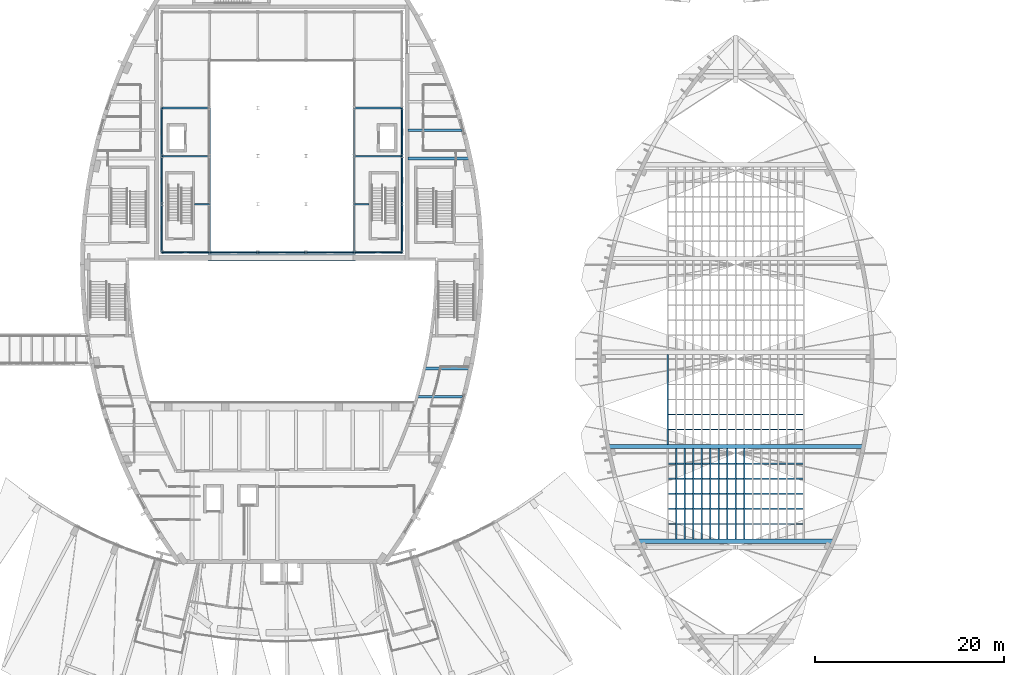
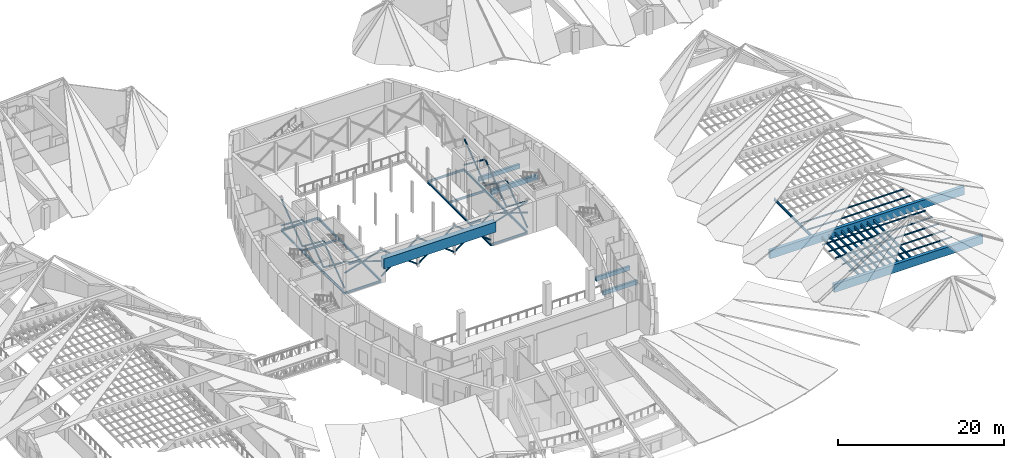
# One storey, part 18 of 56: 44 beams, 33 members.
"""IFC4 building model written with IfcOpenShell, lengths in metres."""

from ifc_helpers import new_model, si_unit, direction, frame, origin, origin_2d, place, context, subcontext, project, spatial, rectangle, hollow_circle, i_section, extrude, material, material_profile, profile_set, type_object, element, save


model = new_model("IFC4")

# Units and contexts
model_context = context("Model", 3, precision=1e-05, world=origin(), true_north=direction((0.0, 1.0)))
body_context = subcontext(model_context, "Body", "Model", "MODEL_VIEW")
ifc_project = project(units=[si_unit("LENGTHUNIT", "METRE"), si_unit("AREAUNIT", "SQUARE_METRE"), si_unit("VOLUMEUNIT", "CUBIC_METRE"), si_unit("PLANEANGLEUNIT", "RADIAN"), si_unit("MASSUNIT", "GRAM", prefix="KILO")], contexts=[model_context])

# Site, building, storey
site_placement = place(None, origin())
site = spatial("IfcSite", under=ifc_project, at=site_placement, CompositionType="ELEMENT")
building_placement = place(site_placement, origin())
building = spatial("IfcBuilding", under=site, at=building_placement, Name="Tide Square Theatres", CompositionType="ELEMENT")
storey_placement = place(building_placement, frame((0.0, 0.0, 10.199951171875)))
storey = spatial("IfcBuildingStorey", under=building, at=storey_placement, Name="L02", CompositionType="ELEMENT", Elevation=10.199951171875)

# Beams
ifc_material_1 = material(Name="Concrete C35", Category="concrete")
ifc_material_profile_1 = material_profile(ifc_material_1, rectangle(XDim=0.300048828125, YDim=0.60009765625, at=origin_2d()))
ifc_profile_set_1 = profile_set([ifc_material_profile_1], Name="Concrete C35")
beam_type_1 = type_object("IfcBeamType", Name="RC beam 300 x 600", PredefinedType="BEAM", material=ifc_profile_set_1)
beam_1_placement = place(storey_placement, frame((98.336669921875, 41.0, -0.550048828125), z_axis=(1.0, 0.0, 0.0), x_axis=(0.0, 1.0, 0.0)))
element("IfcBeam", 1, at=beam_1_placement, inside=storey, type_object=beam_type_1, Name="Floor beam", PredefinedType="BEAM", context=body_context, shape_type="SweptSolid", body=[
    extrude(rectangle(XDim=0.300048828125, YDim=0.60009765625, at=origin_2d()), origin(), (0.0, 0.0, 1.0), 4.769775390625),
])
beam_2_placement = place(storey_placement, frame((99.12060546875, 44.0, -0.550048828125), z_axis=(1.0, 0.0, 0.0), x_axis=(0.0, 1.0, 0.0)))
element("IfcBeam", 2, at=beam_2_placement, inside=storey, type_object=beam_type_1, Name="Floor beam", PredefinedType="BEAM", context=body_context, shape_type="SweptSolid", body=[
    extrude(rectangle(XDim=0.300048828125, YDim=0.60009765625, at=origin_2d()), origin(), (0.0, 0.0, 1.0), 4.710693359375),
])
beam_3_placement = place(storey_placement, frame((97.35009765625, 69.199951171875, -0.550048828125), z_axis=(1.0, 0.0, 0.0), x_axis=(0.0, 1.0, 0.0)))
element("IfcBeam", 3, at=beam_3_placement, inside=storey, type_object=beam_type_1, Name="Floor beam", PredefinedType="BEAM", context=body_context, shape_type="SweptSolid", body=[
    extrude(rectangle(XDim=0.300048828125, YDim=0.60009765625, at=origin_2d()), origin(), (0.0, 0.0, 1.0), 5.7001953125),
])
ifc_material_2 = material(Name="Concrete C35", Category="concrete")
ifc_material_profile_2 = material_profile(ifc_material_2, rectangle(XDim=0.35009765625, YDim=0.699951171875, at=origin_2d()))
ifc_profile_set_2 = profile_set([ifc_material_profile_2], Name="Concrete C35")
beam_type_2 = type_object("IfcBeamType", Name="RC beam 350 x 700", PredefinedType="BEAM", material=ifc_profile_set_2)
beam_4_placement = place(storey_placement, frame((97.35009765625, 66.199951171875, -0.599853515625), z_axis=(1.0, 0.0, 0.0), x_axis=(0.0, 1.0, 0.0)))
element("IfcBeam", 4, at=beam_4_placement, inside=storey, type_object=beam_type_2, Name="Floor beam", PredefinedType="BEAM", context=body_context, shape_type="SweptSolid", body=[
    extrude(rectangle(XDim=0.35009765625, YDim=0.699951171875, at=origin_2d()), origin(), (0.0, 0.0, 1.0), 6.43603515625),
])
ifc_material_3 = material(Name="Concrete C35", Category="concrete")
ifc_material_profile_3 = material_profile(ifc_material_3, rectangle(XDim=0.699951171875, YDim=1.5, at=origin_2d()))
ifc_profile_set_3 = profile_set([ifc_material_profile_3], Name="Concrete C35")
beam_type_3 = type_object("IfcBeamType", Name="RC beam 700 x 1500", PredefinedType="BEAM", material=ifc_profile_set_3)
beam_5_placement = place(storey_placement, frame((76.199951171875, 55.699951171875, 2.75), z_axis=(1.0, 0.0, 0.0), x_axis=(0.0, 1.0, 0.0)))
element("IfcBeam", 5, at=beam_5_placement, inside=storey, type_object=beam_type_3, Name="Proscenium deep beam", PredefinedType="BEAM", context=body_context, shape_type="SweptSolid", body=[
    extrude(rectangle(XDim=0.699951171875, YDim=1.5, at=origin_2d()), origin(), (0.0, 0.0, 1.0), 15.60009765625),
])
ifc_material_4 = material(Name="Concrete C40", Category="concrete")
ifc_material_profile_4 = material_profile(ifc_material_4, rectangle(XDim=0.449951171875, YDim=1.199951171875, at=origin_2d()))
ifc_profile_set_4 = profile_set([ifc_material_profile_4], Name="Concrete C40")
beam_type_4 = type_object("IfcBeamType", Name="RC eaves tie beam 450 x 1200", PredefinedType="BEAM", material=ifc_profile_set_4)
beam_6_placement = place(storey_placement, frame((142.354248046875, 25.727783203125, 1.322509765625), z_axis=(-1.0, 0.0, 0.0), x_axis=(0.0, -1.0, 0.0)))
element("IfcBeam", 6, at=beam_6_placement, inside=storey, type_object=beam_type_4, Name="Eaves tie beam blackbox 1", PredefinedType="BEAM", context=body_context, shape_type="SweptSolid", body=[
    extrude(rectangle(XDim=0.449951171875, YDim=1.199951171875, at=origin_2d()), origin(), (0.0, 0.0, 1.0), 20.70849609375),
])
beam_7_placement = place(storey_placement, frame((145.506103515625, 35.72998046875, 1.318603515625), z_axis=(-1.0, 0.0, 0.0), x_axis=(0.0, -1.0, 0.0)))
element("IfcBeam", 7, at=beam_7_placement, inside=storey, type_object=beam_type_4, Name="Eaves tie beam blackbox 2", PredefinedType="BEAM", context=body_context, shape_type="SweptSolid", body=[
    extrude(rectangle(XDim=0.449951171875, YDim=1.199951171875, at=origin_2d()), origin(), (0.0, 0.0, 1.0), 27.01220703125),
])
ifc_material_5 = material(Name="Steel ASTM A572 Grade 50", Category="steel")
ifc_material_profile_5 = material_profile(ifc_material_5, i_section(OverallWidth=0.1650390625, OverallDepth=0.31005859375, WebThickness=0.005859375, FlangeThickness=0.009765625, FilletRadius=0.010009765625, at=origin_2d()))
ifc_profile_set_5 = profile_set([ifc_material_profile_5], Name="Steel ASTM A572 Grade 50")
beam_type_5 = type_object("IfcBeamType", Name="Steel beam W 310 x 38.7", PredefinedType="BEAM", material=ifc_profile_set_5)
for number, where, z_axis, x_axis, name in (
    (8, (71.27587890625, 56.27587890625, -0.35498046875), (0.0, 1.0, 0.0), (-1.0, 0.0, 0.0), "Fly gallery beam"),
    (9, (71.27587890625, 61.365478515625, -0.35498046875), (0.0, 1.0, 0.0), (-1.0, 0.0, 0.0), "Fly gallery beam"),
):
    element("IfcBeam", number, at=place(storey_placement, frame(where, z_axis=z_axis, x_axis=x_axis)), inside=storey, type_object=beam_type_5, Name=name, PredefinedType="BEAM", context=body_context, shape_type="SweptSolid", body=[
        extrude(i_section(OverallWidth=0.1650390625, OverallDepth=0.31005859375, WebThickness=0.005859375, FlangeThickness=0.009765625, FilletRadius=0.010009765625, at=origin_2d()), origin(), (0.0, 0.0, 1.0), 5.089599609375),
    ])
beam_8_placement = place(storey_placement, frame((71.27587890625, 66.455078125, -0.35498046875), z_axis=(0.0, 1.0, 0.0), x_axis=(-1.0, 0.0, 0.0)))
element("IfcBeam", 10, at=beam_8_placement, inside=storey, type_object=beam_type_5, Name="Fly gallery beam", PredefinedType="BEAM", context=body_context, shape_type="SweptSolid", body=[
    extrude(i_section(OverallWidth=0.1650390625, OverallDepth=0.31005859375, WebThickness=0.005859375, FlangeThickness=0.009765625, FilletRadius=0.010009765625, at=origin_2d()), origin(), (0.0, 0.0, 1.0), 5.08984375),
])
for number, where, z_axis, x_axis, name in (
    (11, (76.365478515625, 56.27587890625, -0.35498046875), (0.0, 1.0, 0.0), (-1.0, 0.0, 0.0), "Fly gallery beam"),
    (12, (76.365478515625, 61.365478515625, -0.35498046875), (0.0, 1.0, 0.0), (-1.0, 0.0, 0.0), "Fly gallery beam"),
):
    element("IfcBeam", number, at=place(storey_placement, frame(where, z_axis=z_axis, x_axis=x_axis)), inside=storey, type_object=beam_type_5, Name=name, PredefinedType="BEAM", context=body_context, shape_type="SweptSolid", body=[
        extrude(i_section(OverallWidth=0.1650390625, OverallDepth=0.31005859375, WebThickness=0.005859375, FlangeThickness=0.009765625, FilletRadius=0.010009765625, at=origin_2d()), origin(), (0.0, 0.0, 1.0), 5.089599609375),
    ])
beam_9_placement = place(storey_placement, frame((76.365478515625, 66.455078125, -0.35498046875), z_axis=(0.0, 1.0, 0.0), x_axis=(-1.0, 0.0, 0.0)))
element("IfcBeam", 13, at=beam_9_placement, inside=storey, type_object=beam_type_5, Name="Fly gallery beam", PredefinedType="BEAM", context=body_context, shape_type="SweptSolid", body=[
    extrude(i_section(OverallWidth=0.1650390625, OverallDepth=0.31005859375, WebThickness=0.005859375, FlangeThickness=0.009765625, FilletRadius=0.010009765625, at=origin_2d()), origin(), (0.0, 0.0, 1.0), 5.08984375),
])
beam_10_placement = place(storey_placement, frame((71.27587890625, 56.27587890625, -0.35498046875), z_axis=(1.0, 0.0, 0.0), x_axis=(0.0, 1.0, 0.0)))
element("IfcBeam", 14, at=beam_10_placement, inside=storey, type_object=beam_type_5, Name="Fly gallery cross beam", PredefinedType="BEAM", context=body_context, shape_type="SweptSolid", body=[
    extrude(i_section(OverallWidth=0.1650390625, OverallDepth=0.31005859375, WebThickness=0.005859375, FlangeThickness=0.009765625, FilletRadius=0.010009765625, at=origin_2d()), origin(), (0.0, 0.0, 1.0), 5.089599609375),
])
beam_11_placement = place(storey_placement, frame((74.77587890625, 61.365478515625, -0.35498046875), z_axis=(1.0, 0.0, 0.0), x_axis=(0.0, 1.0, 0.0)))
element("IfcBeam", 15, at=beam_11_placement, inside=storey, type_object=beam_type_5, Name="Fly gallery cross beam", PredefinedType="BEAM", context=body_context, shape_type="SweptSolid", body=[
    extrude(i_section(OverallWidth=0.1650390625, OverallDepth=0.31005859375, WebThickness=0.005859375, FlangeThickness=0.009765625, FilletRadius=0.010009765625, at=origin_2d()), origin(), (0.0, 0.0, 1.0), 1.589599609375),
])
for number, where, z_axis, x_axis, name in (
    (16, (71.27587890625, 66.455078125, -0.35498046875), (1.0, 0.0, 0.0), (0.0, 1.0, 0.0), "Fly gallery cross beam"),
    (17, (71.27587890625, 71.544921875, -0.35498046875), (1.0, 0.0, 0.0), (0.0, 1.0, 0.0), "Fly gallery cross beam"),
    (18, (91.634521484375, 56.27587890625, -0.35498046875), (0.0, 1.0, 0.0), (-1.0, 0.0, 0.0), "Fly gallery beam"),
    (19, (91.634521484375, 61.365478515625, -0.35498046875), (0.0, 1.0, 0.0), (-1.0, 0.0, 0.0), "Fly gallery beam"),
):
    element("IfcBeam", number, at=place(storey_placement, frame(where, z_axis=z_axis, x_axis=x_axis)), inside=storey, type_object=beam_type_5, Name=name, PredefinedType="BEAM", context=body_context, shape_type="SweptSolid", body=[
        extrude(i_section(OverallWidth=0.1650390625, OverallDepth=0.31005859375, WebThickness=0.005859375, FlangeThickness=0.009765625, FilletRadius=0.010009765625, at=origin_2d()), origin(), (0.0, 0.0, 1.0), 5.089599609375),
    ])
beam_12_placement = place(storey_placement, frame((91.634521484375, 66.455078125, -0.35498046875), z_axis=(0.0, 1.0, 0.0), x_axis=(-1.0, 0.0, 0.0)))
element("IfcBeam", 20, at=beam_12_placement, inside=storey, type_object=beam_type_5, Name="Fly gallery beam", PredefinedType="BEAM", context=body_context, shape_type="SweptSolid", body=[
    extrude(i_section(OverallWidth=0.1650390625, OverallDepth=0.31005859375, WebThickness=0.005859375, FlangeThickness=0.009765625, FilletRadius=0.010009765625, at=origin_2d()), origin(), (0.0, 0.0, 1.0), 5.08984375),
])
for number, where, z_axis, x_axis, name in (
    (21, (96.72412109375, 56.27587890625, -0.35498046875), (0.0, 1.0, 0.0), (-1.0, 0.0, 0.0), "Fly gallery beam"),
    (22, (96.72412109375, 61.365478515625, -0.35498046875), (0.0, 1.0, 0.0), (-1.0, 0.0, 0.0), "Fly gallery beam"),
):
    element("IfcBeam", number, at=place(storey_placement, frame(where, z_axis=z_axis, x_axis=x_axis)), inside=storey, type_object=beam_type_5, Name=name, PredefinedType="BEAM", context=body_context, shape_type="SweptSolid", body=[
        extrude(i_section(OverallWidth=0.1650390625, OverallDepth=0.31005859375, WebThickness=0.005859375, FlangeThickness=0.009765625, FilletRadius=0.010009765625, at=origin_2d()), origin(), (0.0, 0.0, 1.0), 5.089599609375),
    ])
beam_13_placement = place(storey_placement, frame((96.72412109375, 66.455078125, -0.35498046875), z_axis=(0.0, 1.0, 0.0), x_axis=(-1.0, 0.0, 0.0)))
element("IfcBeam", 23, at=beam_13_placement, inside=storey, type_object=beam_type_5, Name="Fly gallery beam", PredefinedType="BEAM", context=body_context, shape_type="SweptSolid", body=[
    extrude(i_section(OverallWidth=0.1650390625, OverallDepth=0.31005859375, WebThickness=0.005859375, FlangeThickness=0.009765625, FilletRadius=0.010009765625, at=origin_2d()), origin(), (0.0, 0.0, 1.0), 5.08984375),
])
beam_14_placement = place(storey_placement, frame((91.634521484375, 56.27587890625, -0.35498046875), z_axis=(1.0, 0.0, 0.0), x_axis=(0.0, 1.0, 0.0)))
element("IfcBeam", 24, at=beam_14_placement, inside=storey, type_object=beam_type_5, Name="Fly gallery cross beam", PredefinedType="BEAM", context=body_context, shape_type="SweptSolid", body=[
    extrude(i_section(OverallWidth=0.1650390625, OverallDepth=0.31005859375, WebThickness=0.005859375, FlangeThickness=0.009765625, FilletRadius=0.010009765625, at=origin_2d()), origin(), (0.0, 0.0, 1.0), 5.089599609375),
])
beam_15_placement = place(storey_placement, frame((91.634521484375, 61.365478515625, -0.35498046875), z_axis=(1.0, 0.0, 0.0), x_axis=(0.0, 1.0, 0.0)))
element("IfcBeam", 25, at=beam_15_placement, inside=storey, type_object=beam_type_5, Name="Fly gallery cross beam", PredefinedType="BEAM", context=body_context, shape_type="SweptSolid", body=[
    extrude(i_section(OverallWidth=0.1650390625, OverallDepth=0.31005859375, WebThickness=0.005859375, FlangeThickness=0.009765625, FilletRadius=0.010009765625, at=origin_2d()), origin(), (0.0, 0.0, 1.0), 1.589599609375),
])
for number, where, z_axis, x_axis, name in (
    (26, (91.634521484375, 66.455078125, -0.35498046875), (1.0, 0.0, 0.0), (0.0, 1.0, 0.0), "Fly gallery cross beam"),
    (27, (91.634521484375, 71.544921875, -0.35498046875), (1.0, 0.0, 0.0), (0.0, 1.0, 0.0), "Fly gallery cross beam"),
):
    element("IfcBeam", number, at=place(storey_placement, frame(where, z_axis=z_axis, x_axis=x_axis)), inside=storey, type_object=beam_type_5, Name=name, PredefinedType="BEAM", context=body_context, shape_type="SweptSolid", body=[
        extrude(i_section(OverallWidth=0.1650390625, OverallDepth=0.31005859375, WebThickness=0.005859375, FlangeThickness=0.009765625, FilletRadius=0.010009765625, at=origin_2d()), origin(), (0.0, 0.0, 1.0), 5.089599609375),
    ])
ifc_material_6 = material(Name="Steel ASTM A572 Grade 50", Category="steel")
ifc_material_profile_6 = material_profile(ifc_material_6, i_section(OverallWidth=0.1708984375, OverallDepth=0.35498046875, WebThickness=0.007080078125, FlangeThickness=0.01171875, FilletRadius=0.011962890625, at=origin_2d()))
ifc_profile_set_6 = profile_set([ifc_material_profile_6], Name="Steel ASTM A572 Grade 50")
beam_type_6 = type_object("IfcBeamType", Name="Steel beam W 360 x 51.0", PredefinedType="BEAM", material=ifc_profile_set_6)
for number, where, z_axis, x_axis, name in (
    (28, (132.89990234375, 25.952880859375, 1.320556640625), (0.0, 1.0, 0.0), (-1.0, 0.0, 0.0), "Black Box Theatre rigging grid girder"),
    (29, (132.0, 25.952880859375, 1.320556640625), (0.0, 1.0, 0.0), (-1.0, 0.0, 0.0), "Black Box Theatre rigging grid girder"),
    (30, (131.10009765625, 25.952880859375, 1.320556640625), (0.0, 1.0, 0.0), (-1.0, 0.0, 0.0), "Black Box Theatre rigging grid girder"),
    (31, (130.199951171875, 25.952880859375, 1.320556640625), (0.0, 1.0, 0.0), (-1.0, 0.0, 0.0), "Black Box Theatre rigging grid girder"),
    (32, (129.300048828125, 25.952880859375, 1.320556640625), (0.0, 1.0, 0.0), (-1.0, 0.0, 0.0), "Black Box Theatre rigging grid girder"),
    (33, (128.39990234375, 25.952880859375, 1.320556640625), (0.0, 1.0, 0.0), (-1.0, 0.0, 0.0), "Black Box Theatre rigging grid girder"),
    (34, (127.5, 25.952880859375, 1.320556640625), (0.0, 1.0, 0.0), (-1.0, 0.0, 0.0), "Black Box Theatre rigging grid girder"),
    (35, (126.60009765625, 25.952880859375, 1.320556640625), (0.0, 1.0, 0.0), (-1.0, 0.0, 0.0), "Black Box Theatre rigging grid girder"),
    (36, (125.699951171875, 25.952880859375, 1.320556640625), (0.0, 1.0, 0.0), (-1.0, 0.0, 0.0), "Black Box Theatre rigging grid girder"),
):
    element("IfcBeam", number, at=place(storey_placement, frame(where, z_axis=z_axis, x_axis=x_axis)), inside=storey, type_object=beam_type_6, Name=name, PredefinedType="BEAM", context=body_context, shape_type="SweptSolid", body=[
        extrude(i_section(OverallWidth=0.1708984375, OverallDepth=0.35498046875, WebThickness=0.007080078125, FlangeThickness=0.01171875, FilletRadius=0.011962890625, at=origin_2d()), origin(), (0.0, 0.0, 1.0), 9.552001953125),
    ])
beam_16_placement = place(storey_placement, frame((124.800048828125, 35.955078125, 1.316650390625), z_axis=(0.0, 1.0, 0.0), x_axis=(-1.0, 0.0, 0.0)))
element("IfcBeam", 37, at=beam_16_placement, inside=storey, type_object=beam_type_6, Name="Black Box Theatre rigging grid girder", PredefinedType="BEAM", context=body_context, shape_type="SweptSolid", body=[
    extrude(i_section(OverallWidth=0.1708984375, OverallDepth=0.35498046875, WebThickness=0.007080078125, FlangeThickness=0.01171875, FilletRadius=0.011962890625, at=origin_2d()), origin(), (0.0, 0.0, 1.0), 9.519775390625),
])

# Members
ifc_material_7 = material(Name="Steel ASTM A500 Grade C", Category="steel")
ifc_material_profile_7 = material_profile(ifc_material_7, hollow_circle(Radius=0.109619140625, WallThickness=0.010009765625, at=origin_2d()))
ifc_profile_set_7 = profile_set([ifc_material_profile_7], Name="Steel ASTM A500 Grade C")
member_type = type_object("IfcMemberType", Name="Steel brace CHS 219.1 x 10.0", PredefinedType="BRACE", material=ifc_profile_set_7)
member_1_placement = place(storey_placement, frame((71.27587890625, 56.27587890625, 2.60009765625), z_axis=(0.951265515207, 0.0, 0.308373020184), x_axis=(0.0, 1.0, 0.0)))
element("IfcMember", 38, at=member_1_placement, inside=storey, type_object=member_type, Name="Fly tower brace", PredefinedType="BRACE", context=body_context, shape_type="SweptSolid", body=[
    extrude(hollow_circle(Radius=0.109619140625, WallThickness=0.010009765625, at=origin_2d()), origin(), (0.0, 0.0, 1.0), 5.350341796875),
])
member_2_placement = place(storey_placement, frame((76.365478515625, 56.27587890625, 2.60009765625), z_axis=(-0.95126361453, 0.0, 0.30837888331), x_axis=(0.0, -1.0, 0.0)))
element("IfcMember", 39, at=member_2_placement, inside=storey, type_object=member_type, Name="Fly tower brace", PredefinedType="BRACE", context=body_context, shape_type="SweptSolid", body=[
    extrude(hollow_circle(Radius=0.109619140625, WallThickness=0.010009765625, at=origin_2d()), origin(), (0.0, 0.0, 1.0), 2.420166015625),
])
member_3_placement = place(storey_placement, frame((73.578369140625, 56.27587890625, 3.503662109375), z_axis=(-0.951273206238, 0.0, 0.308349293974), x_axis=(0.0, -1.0, 0.0)))
element("IfcMember", 40, at=member_3_placement, inside=storey, type_object=member_type, Name="Fly tower brace", PredefinedType="BRACE", context=body_context, shape_type="SweptSolid", body=[
    extrude(hollow_circle(Radius=0.109619140625, WallThickness=0.010009765625, at=origin_2d()), origin(), (0.0, 0.0, 1.0), 2.42041015625),
])
member_4_placement = place(storey_placement, frame((76.365478515625, 56.27587890625, 0.35009765625), z_axis=(0.793766284219, 0.0, 0.60822289174), x_axis=(0.0, 1.0, 0.0)))
element("IfcMember", 41, at=member_4_placement, inside=storey, type_object=member_type, Name="Fly tower brace", PredefinedType="BRACE", context=body_context, shape_type="SweptSolid", body=[
    extrude(hollow_circle(Radius=0.109619140625, WallThickness=0.010009765625, at=origin_2d()), origin(), (0.0, 0.0, 1.0), 6.411865234375),
])
member_5_placement = place(storey_placement, frame((81.455078125, 56.27587890625, 0.35009765625), z_axis=(-0.793780221985, 0.0, 0.608204701713), x_axis=(0.0, -1.0, 0.0)))
element("IfcMember", 42, at=member_5_placement, inside=storey, type_object=member_type, Name="Fly tower brace", PredefinedType="BRACE", context=body_context, shape_type="SweptSolid", body=[
    extrude(hollow_circle(Radius=0.109619140625, WallThickness=0.010009765625, at=origin_2d()), origin(), (0.0, 0.0, 1.0), 3.0732421875),
])
member_6_placement = place(storey_placement, frame((78.80517578125, 56.27587890625, 2.380859375), z_axis=(-0.793809605674, 0.0, 0.608166350549), x_axis=(0.0, -1.0, 0.0)))
element("IfcMember", 43, at=member_6_placement, inside=storey, type_object=member_type, Name="Fly tower brace", PredefinedType="BRACE", context=body_context, shape_type="SweptSolid", body=[
    extrude(hollow_circle(Radius=0.109619140625, WallThickness=0.010009765625, at=origin_2d()), origin(), (0.0, 0.0, 1.0), 3.073486328125),
])
member_7_placement = place(storey_placement, frame((81.455078125, 56.27587890625, 0.35009765625), z_axis=(0.793780369156, 0.0, 0.608204509637), x_axis=(0.0, 1.0, 0.0)))
element("IfcMember", 44, at=member_7_placement, inside=storey, type_object=member_type, Name="Fly tower brace", PredefinedType="BRACE", context=body_context, shape_type="SweptSolid", body=[
    extrude(hollow_circle(Radius=0.109619140625, WallThickness=0.010009765625, at=origin_2d()), origin(), (0.0, 0.0, 1.0), 6.412109375),
])
for number, where, z_axis, x_axis, name in (
    (45, (86.544921875, 56.27587890625, 0.35009765625), (-0.793809605674, 0.0, 0.608166350549), (0.0, -1.0, 0.0), "Fly tower brace"),
    (46, (83.894775390625, 56.27587890625, 2.380859375), (-0.793809605674, 0.0, 0.608166350549), (0.0, -1.0, 0.0), "Fly tower brace"),
):
    element("IfcMember", number, at=place(storey_placement, frame(where, z_axis=z_axis, x_axis=x_axis)), inside=storey, type_object=member_type, Name=name, PredefinedType="BRACE", context=body_context, shape_type="SweptSolid", body=[
        extrude(hollow_circle(Radius=0.109619140625, WallThickness=0.010009765625, at=origin_2d()), origin(), (0.0, 0.0, 1.0), 3.073486328125),
    ])
member_8_placement = place(storey_placement, frame((86.544921875, 56.27587890625, 0.35009765625), z_axis=(0.793766284219, 0.0, 0.60822289174), x_axis=(0.0, 1.0, 0.0)))
element("IfcMember", 47, at=member_8_placement, inside=storey, type_object=member_type, Name="Fly tower brace", PredefinedType="BRACE", context=body_context, shape_type="SweptSolid", body=[
    extrude(hollow_circle(Radius=0.109619140625, WallThickness=0.010009765625, at=origin_2d()), origin(), (0.0, 0.0, 1.0), 6.411865234375),
])
member_9_placement = place(storey_placement, frame((91.634521484375, 56.27587890625, 0.35009765625), z_axis=(-0.793809605674, 0.0, 0.608166350549), x_axis=(0.0, -1.0, 0.0)))
element("IfcMember", 48, at=member_9_placement, inside=storey, type_object=member_type, Name="Fly tower brace", PredefinedType="BRACE", context=body_context, shape_type="SweptSolid", body=[
    extrude(hollow_circle(Radius=0.109619140625, WallThickness=0.010009765625, at=origin_2d()), origin(), (0.0, 0.0, 1.0), 3.073486328125),
])
member_10_placement = place(storey_placement, frame((88.984375, 56.27587890625, 2.380859375), z_axis=(-0.793780221985, 0.0, 0.608204701713), x_axis=(0.0, -1.0, 0.0)))
element("IfcMember", 49, at=member_10_placement, inside=storey, type_object=member_type, Name="Fly tower brace", PredefinedType="BRACE", context=body_context, shape_type="SweptSolid", body=[
    extrude(hollow_circle(Radius=0.109619140625, WallThickness=0.010009765625, at=origin_2d()), origin(), (0.0, 0.0, 1.0), 3.0732421875),
])
member_11_placement = place(storey_placement, frame((91.634521484375, 56.27587890625, 2.60009765625), z_axis=(0.951265515207, 0.0, 0.308373020184), x_axis=(0.0, 1.0, 0.0)))
element("IfcMember", 50, at=member_11_placement, inside=storey, type_object=member_type, Name="Fly tower brace", PredefinedType="BRACE", context=body_context, shape_type="SweptSolid", body=[
    extrude(hollow_circle(Radius=0.109619140625, WallThickness=0.010009765625, at=origin_2d()), origin(), (0.0, 0.0, 1.0), 5.350341796875),
])
member_12_placement = place(storey_placement, frame((96.72412109375, 56.27587890625, 2.60009765625), z_axis=(-0.951273206238, 0.0, 0.308349293974), x_axis=(0.0, -1.0, 0.0)))
element("IfcMember", 51, at=member_12_placement, inside=storey, type_object=member_type, Name="Fly tower brace", PredefinedType="BRACE", context=body_context, shape_type="SweptSolid", body=[
    extrude(hollow_circle(Radius=0.109619140625, WallThickness=0.010009765625, at=origin_2d()), origin(), (0.0, 0.0, 1.0), 2.42041015625),
])
member_13_placement = place(storey_placement, frame((93.936767578125, 56.27587890625, 3.503662109375), z_axis=(-0.95126361453, 0.0, 0.30837888331), x_axis=(0.0, -1.0, 0.0)))
element("IfcMember", 52, at=member_13_placement, inside=storey, type_object=member_type, Name="Fly tower brace", PredefinedType="BRACE", context=body_context, shape_type="SweptSolid", body=[
    extrude(hollow_circle(Radius=0.109619140625, WallThickness=0.010009765625, at=origin_2d()), origin(), (0.0, 0.0, 1.0), 2.420166015625),
])
member_14_placement = place(storey_placement, frame((71.27587890625, 56.27587890625, 0.35009765625), z_axis=(0.0, 0.793766284219, 0.60822289174), x_axis=(-1.0, 0.0, 0.0)))
element("IfcMember", 53, at=member_14_placement, inside=storey, type_object=member_type, Name="Fly tower brace", PredefinedType="BRACE", context=body_context, shape_type="SweptSolid", body=[
    extrude(hollow_circle(Radius=0.109619140625, WallThickness=0.010009765625, at=origin_2d()), origin(), (0.0, 0.0, 1.0), 6.411865234375),
])
member_15_placement = place(storey_placement, frame((71.27587890625, 61.365478515625, 0.35009765625), z_axis=(0.0, -0.793780221985, 0.608204701713), x_axis=(1.0, 0.0, 0.0)))
element("IfcMember", 54, at=member_15_placement, inside=storey, type_object=member_type, Name="Fly tower brace", PredefinedType="BRACE", context=body_context, shape_type="SweptSolid", body=[
    extrude(hollow_circle(Radius=0.109619140625, WallThickness=0.010009765625, at=origin_2d()), origin(), (0.0, 0.0, 1.0), 3.0732421875),
])
member_16_placement = place(storey_placement, frame((71.27587890625, 58.715576171875, 2.380859375), z_axis=(0.0, -0.793809605674, 0.608166350549), x_axis=(1.0, 0.0, 0.0)))
element("IfcMember", 55, at=member_16_placement, inside=storey, type_object=member_type, Name="Fly tower brace", PredefinedType="BRACE", context=body_context, shape_type="SweptSolid", body=[
    extrude(hollow_circle(Radius=0.109619140625, WallThickness=0.010009765625, at=origin_2d()), origin(), (0.0, 0.0, 1.0), 3.073486328125),
])
member_17_placement = place(storey_placement, frame((71.27587890625, 61.365478515625, 0.35009765625), z_axis=(0.0, 0.793766284219, 0.60822289174), x_axis=(-1.0, 0.0, 0.0)))
element("IfcMember", 56, at=member_17_placement, inside=storey, type_object=member_type, Name="Fly tower brace", PredefinedType="BRACE", context=body_context, shape_type="SweptSolid", body=[
    extrude(hollow_circle(Radius=0.109619140625, WallThickness=0.010009765625, at=origin_2d()), origin(), (0.0, 0.0, 1.0), 6.411865234375),
])
member_18_placement = place(storey_placement, frame((71.27587890625, 66.455078125, 0.35009765625), z_axis=(0.0, -0.793780221985, 0.608204701713), x_axis=(1.0, 0.0, 0.0)))
element("IfcMember", 57, at=member_18_placement, inside=storey, type_object=member_type, Name="Fly tower brace", PredefinedType="BRACE", context=body_context, shape_type="SweptSolid", body=[
    extrude(hollow_circle(Radius=0.109619140625, WallThickness=0.010009765625, at=origin_2d()), origin(), (0.0, 0.0, 1.0), 3.0732421875),
])
member_19_placement = place(storey_placement, frame((71.27587890625, 63.80517578125, 2.380859375), z_axis=(0.0, -0.793809605674, 0.608166350549), x_axis=(1.0, 0.0, 0.0)))
element("IfcMember", 58, at=member_19_placement, inside=storey, type_object=member_type, Name="Fly tower brace", PredefinedType="BRACE", context=body_context, shape_type="SweptSolid", body=[
    extrude(hollow_circle(Radius=0.109619140625, WallThickness=0.010009765625, at=origin_2d()), origin(), (0.0, 0.0, 1.0), 3.073486328125),
])
member_20_placement = place(storey_placement, frame((71.27587890625, 66.455078125, 0.35009765625), z_axis=(0.0, 0.793780369156, 0.608204509637), x_axis=(-1.0, 0.0, 0.0)))
element("IfcMember", 59, at=member_20_placement, inside=storey, type_object=member_type, Name="Fly tower brace", PredefinedType="BRACE", context=body_context, shape_type="SweptSolid", body=[
    extrude(hollow_circle(Radius=0.109619140625, WallThickness=0.010009765625, at=origin_2d()), origin(), (0.0, 0.0, 1.0), 6.412109375),
])
for number, where, z_axis, x_axis, name in (
    (60, (71.27587890625, 71.544921875, 0.35009765625), (0.0, -0.793809605674, 0.608166350549), (1.0, 0.0, 0.0), "Fly tower brace"),
    (61, (71.27587890625, 68.894775390625, 2.380859375), (0.0, -0.793809605674, 0.608166350549), (1.0, 0.0, 0.0), "Fly tower brace"),
):
    element("IfcMember", number, at=place(storey_placement, frame(where, z_axis=z_axis, x_axis=x_axis)), inside=storey, type_object=member_type, Name=name, PredefinedType="BRACE", context=body_context, shape_type="SweptSolid", body=[
        extrude(hollow_circle(Radius=0.109619140625, WallThickness=0.010009765625, at=origin_2d()), origin(), (0.0, 0.0, 1.0), 3.073486328125),
    ])
member_21_placement = place(storey_placement, frame((96.72412109375, 56.27587890625, 0.35009765625), z_axis=(0.0, 0.793766284219, 0.60822289174), x_axis=(-1.0, 0.0, 0.0)))
element("IfcMember", 62, at=member_21_placement, inside=storey, type_object=member_type, Name="Fly tower brace", PredefinedType="BRACE", context=body_context, shape_type="SweptSolid", body=[
    extrude(hollow_circle(Radius=0.109619140625, WallThickness=0.010009765625, at=origin_2d()), origin(), (0.0, 0.0, 1.0), 6.411865234375),
])
member_22_placement = place(storey_placement, frame((96.72412109375, 61.365478515625, 0.35009765625), z_axis=(0.0, -0.793780221985, 0.608204701713), x_axis=(1.0, 0.0, 0.0)))
element("IfcMember", 63, at=member_22_placement, inside=storey, type_object=member_type, Name="Fly tower brace", PredefinedType="BRACE", context=body_context, shape_type="SweptSolid", body=[
    extrude(hollow_circle(Radius=0.109619140625, WallThickness=0.010009765625, at=origin_2d()), origin(), (0.0, 0.0, 1.0), 3.0732421875),
])
member_23_placement = place(storey_placement, frame((96.72412109375, 58.715576171875, 2.380859375), z_axis=(0.0, -0.793809605674, 0.608166350549), x_axis=(1.0, 0.0, 0.0)))
element("IfcMember", 64, at=member_23_placement, inside=storey, type_object=member_type, Name="Fly tower brace", PredefinedType="BRACE", context=body_context, shape_type="SweptSolid", body=[
    extrude(hollow_circle(Radius=0.109619140625, WallThickness=0.010009765625, at=origin_2d()), origin(), (0.0, 0.0, 1.0), 3.073486328125),
])
member_24_placement = place(storey_placement, frame((96.72412109375, 61.365478515625, 0.35009765625), z_axis=(0.0, 0.793766284219, 0.60822289174), x_axis=(-1.0, 0.0, 0.0)))
element("IfcMember", 65, at=member_24_placement, inside=storey, type_object=member_type, Name="Fly tower brace", PredefinedType="BRACE", context=body_context, shape_type="SweptSolid", body=[
    extrude(hollow_circle(Radius=0.109619140625, WallThickness=0.010009765625, at=origin_2d()), origin(), (0.0, 0.0, 1.0), 6.411865234375),
])
member_25_placement = place(storey_placement, frame((96.72412109375, 66.455078125, 0.35009765625), z_axis=(0.0, -0.793780221985, 0.608204701713), x_axis=(1.0, 0.0, 0.0)))
element("IfcMember", 66, at=member_25_placement, inside=storey, type_object=member_type, Name="Fly tower brace", PredefinedType="BRACE", context=body_context, shape_type="SweptSolid", body=[
    extrude(hollow_circle(Radius=0.109619140625, WallThickness=0.010009765625, at=origin_2d()), origin(), (0.0, 0.0, 1.0), 3.0732421875),
])
member_26_placement = place(storey_placement, frame((96.72412109375, 63.80517578125, 2.380859375), z_axis=(0.0, -0.793809605674, 0.608166350549), x_axis=(1.0, 0.0, 0.0)))
element("IfcMember", 67, at=member_26_placement, inside=storey, type_object=member_type, Name="Fly tower brace", PredefinedType="BRACE", context=body_context, shape_type="SweptSolid", body=[
    extrude(hollow_circle(Radius=0.109619140625, WallThickness=0.010009765625, at=origin_2d()), origin(), (0.0, 0.0, 1.0), 3.073486328125),
])
member_27_placement = place(storey_placement, frame((96.72412109375, 66.455078125, 0.35009765625), z_axis=(0.0, 0.793780369156, 0.608204509637), x_axis=(-1.0, 0.0, 0.0)))
element("IfcMember", 68, at=member_27_placement, inside=storey, type_object=member_type, Name="Fly tower brace", PredefinedType="BRACE", context=body_context, shape_type="SweptSolid", body=[
    extrude(hollow_circle(Radius=0.109619140625, WallThickness=0.010009765625, at=origin_2d()), origin(), (0.0, 0.0, 1.0), 6.412109375),
])
for number, where, z_axis, x_axis, name in (
    (69, (96.72412109375, 71.544921875, 0.35009765625), (0.0, -0.793809605674, 0.608166350549), (1.0, 0.0, 0.0), "Fly tower brace"),
    (70, (96.72412109375, 68.894775390625, 2.380859375), (0.0, -0.793809605674, 0.608166350549), (1.0, 0.0, 0.0), "Fly tower brace"),
):
    element("IfcMember", number, at=place(storey_placement, frame(where, z_axis=z_axis, x_axis=x_axis)), inside=storey, type_object=member_type, Name=name, PredefinedType="BRACE", context=body_context, shape_type="SweptSolid", body=[
        extrude(hollow_circle(Radius=0.109619140625, WallThickness=0.010009765625, at=origin_2d()), origin(), (0.0, 0.0, 1.0), 3.073486328125),
    ])

# Beams
ifc_material_8 = material(Name="Steel ASTM A572 Grade 50", Category="steel")
ifc_material_profile_8 = material_profile(ifc_material_8, i_section(OverallWidth=0.152099609375, OverallDepth=0.152099609375, WebThickness=0.005859375, FlangeThickness=0.006591796875, FilletRadius=0.010009765625, at=origin_2d()))
ifc_profile_set_8 = profile_set([ifc_material_profile_8], Name="Steel ASTM A572 Grade 50")
beam_type_7 = type_object("IfcBeamType", Name="Steel joist W 150 x 22.5", PredefinedType="JOIST", material=ifc_profile_set_8)
for number, where, z_axis, x_axis, name in (
    (71, (139.199951171875, 27.544921875, 1.573974609375), (-1.0, 0.0, 0.0), (0.0, -1.0, 0.0), "Black Box Theatre rigging grid joist"),
    (72, (139.199951171875, 29.136962890625, 1.573974609375), (-1.0, 0.0, 0.0), (0.0, -1.0, 0.0), "Black Box Theatre rigging grid joist"),
    (73, (139.199951171875, 30.72900390625, 1.573974609375), (-1.0, 0.0, 0.0), (0.0, -1.0, 0.0), "Black Box Theatre rigging grid joist"),
    (74, (139.199951171875, 32.32080078125, 1.573974609375), (-1.0, 0.0, 0.0), (0.0, -1.0, 0.0), "Black Box Theatre rigging grid joist"),
    (75, (139.199951171875, 33.9130859375, 1.573974609375), (-1.0, 0.0, 0.0), (0.0, -1.0, 0.0), "Black Box Theatre rigging grid joist"),
    (76, (139.199951171875, 37.541748046875, 1.570068359375), (-1.0, 0.0, 0.0), (0.0, -1.0, 0.0), "Black Box Theatre rigging grid joist"),
    (77, (139.199951171875, 39.12841796875, 1.570068359375), (-1.0, 0.0, 0.0), (0.0, -1.0, 0.0), "Black Box Theatre rigging grid joist"),
):
    element("IfcBeam", number, at=place(storey_placement, frame(where, z_axis=z_axis, x_axis=x_axis)), inside=storey, type_object=beam_type_7, Name=name, PredefinedType="JOIST", context=body_context, shape_type="SweptSolid", body=[
        extrude(i_section(OverallWidth=0.152099609375, OverallDepth=0.152099609375, WebThickness=0.005859375, FlangeThickness=0.006591796875, FilletRadius=0.010009765625, at=origin_2d()), origin(), (0.0, 0.0, 1.0), 14.39990234375),
    ])

save(model, "model.ifc")
